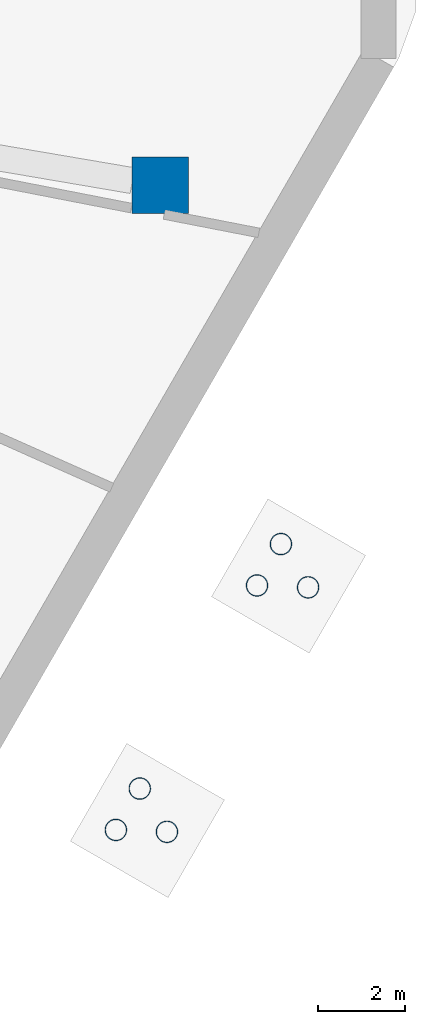
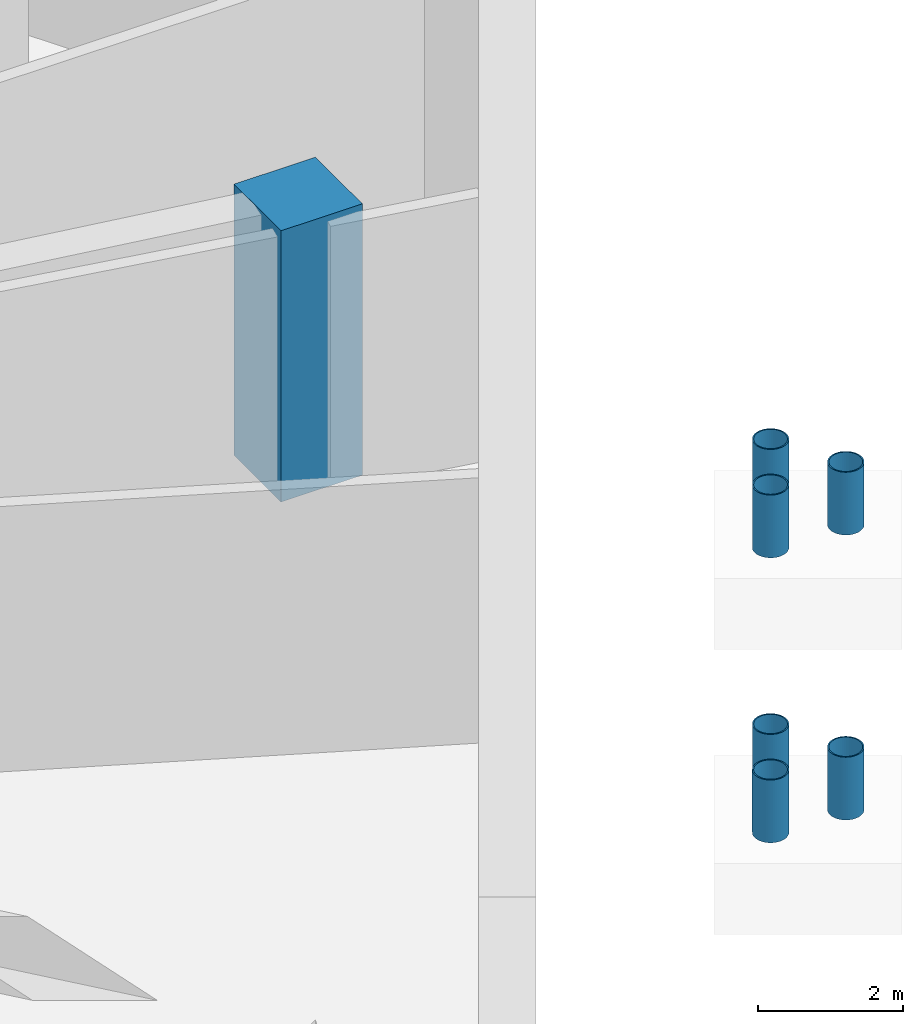
# One storey, part 3 of 10: 7 columns.
"""IFC4 building model written with IfcOpenShell, lengths in metres."""

from ifc_helpers import new_model, si_unit, direction, frame, origin, origin_2d, place, context, subcontext, project, spatial, rectangle, hollow_circle, extrude, material, material_profile, profile_set, type_object, element, save


model = new_model("IFC4")

# Units and contexts
model_context = context("Model", 3, precision=1e-05, world=origin(), true_north=direction((0.0, 1.0)))
body_context = subcontext(model_context, "Body", "Model", "MODEL_VIEW")
ifc_project = project(units=[si_unit("LENGTHUNIT", "METRE"), si_unit("AREAUNIT", "SQUARE_METRE"), si_unit("VOLUMEUNIT", "CUBIC_METRE"), si_unit("PLANEANGLEUNIT", "RADIAN"), si_unit("MASSUNIT", "GRAM", prefix="KILO")], contexts=[model_context])

# Site, building, storey
site_placement = place(None, origin())
site = spatial("IfcSite", under=ifc_project, at=site_placement, CompositionType="ELEMENT")
building_placement = place(site_placement, origin())
building = spatial("IfcBuilding", under=site, at=building_placement, Name="Zuhravey Tower", CompositionType="ELEMENT")
storey_placement = place(building_placement, frame((0.0, 0.0, -4.800048828125)))
storey = spatial("IfcBuildingStorey", under=building, at=storey_placement, Name="B01", CompositionType="ELEMENT", Elevation=-4.800048828125)

# Columns
ifc_material_1 = material(Name="Concrete C60/75", Category="concrete")
ifc_material_profile_1 = material_profile(ifc_material_1, rectangle(XDim=1.300048828125, YDim=1.300048828125, at=origin_2d()), Name="RC-1300x1300")
ifc_profile_set_1 = profile_set([ifc_material_profile_1], Name="Concrete C60/75")
column_type_1 = type_object("IfcColumnType", Name="Basement Column 1300x1300", PredefinedType="COLUMN", material=ifc_profile_set_1)
column_placement = place(storey_placement, frame((63.132080078125, 27.37890625, 0.0), z_axis=(0.0, 0.0, 1.0), x_axis=(1.0, 0.0, 0.0)))
element("IfcColumn", 1, at=column_placement, inside=storey, type_object=column_type_1, Name="B01 Basement Column BC1-12", PredefinedType="COLUMN", context=body_context, shape_type="SweptSolid", body=[
    extrude(rectangle(XDim=1.300048828125, YDim=1.300048828125, at=origin_2d()), origin(), (0.0, 0.0, 1.0), 4.580078125),
])
ifc_material_2 = material(Name="Steel SM355", Category="steel")
ifc_material_profile_2 = material_profile(ifc_material_2, hollow_circle(Radius=0.25390625, WallThickness=0.02001953125, at=origin_2d()), Name="CHS-508x20")
ifc_profile_set_2 = profile_set([ifc_material_profile_2], Name="Steel SM355")
column_type_2 = type_object("IfcColumnType", Name="Lobby Pavilion Column CHS508x20", PredefinedType="COLUMN", material=ifc_profile_set_2)
for number, where, z_axis, x_axis, name in (
    (2, (65.35791015625, 18.167724609375, 3.420166015625), (0.0, 0.0, 1.0), (1.0, 0.0, 0.0), "B01 Ramp 6 TOP Support Pier 1"),
    (3, (65.907958984375, 19.120361328125, 3.420166015625), (0.0, 0.0, 1.0), (1.0, 0.0, 0.0), "B01 Ramp 6 TOP Support Pier 2"),
    (4, (66.53369140625, 18.1240234375, 3.420166015625), (0.0, 0.0, 1.0), (1.0, 0.0, 0.0), "B01 Ramp 6 TOP Support Pier 3"),
    (5, (62.10791015625, 12.538818359375, 3.16015625), (0.0, 0.0, 1.0), (1.0, 0.0, 0.0), "B01 Ramp 6 BOT Support Pier 1"),
    (6, (62.657958984375, 13.4912109375, 3.16015625), (0.0, 0.0, 1.0), (1.0, 0.0, 0.0), "B01 Ramp 6 BOT Support Pier 2"),
    (7, (63.28369140625, 12.4951171875, 3.16015625), (0.0, 0.0, 1.0), (1.0, 0.0, 0.0), "B01 Ramp 6 BOT Support Pier 3"),
):
    element("IfcColumn", number, at=place(storey_placement, frame(where, z_axis=z_axis, x_axis=x_axis)), inside=storey, type_object=column_type_2, Name=name, PredefinedType="COLUMN", context=body_context, shape_type="SweptSolid", body=[
        extrude(hollow_circle(Radius=0.25390625, WallThickness=0.02001953125, at=origin_2d()), origin(), (0.0, 0.0, 1.0), 1.059814453125),
    ])

save(model, "model.ifc")
